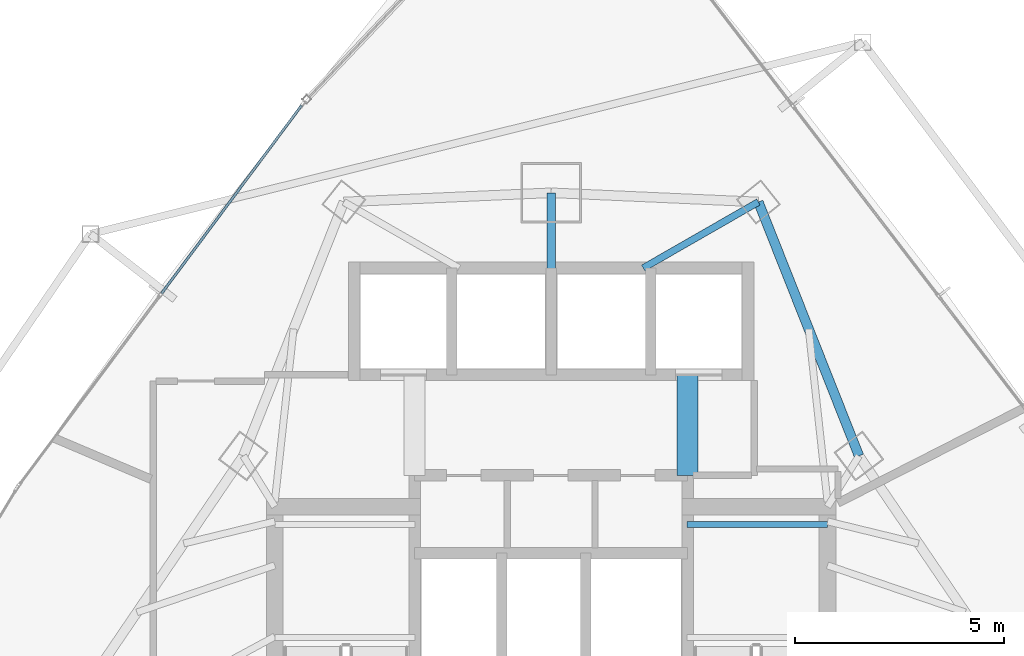
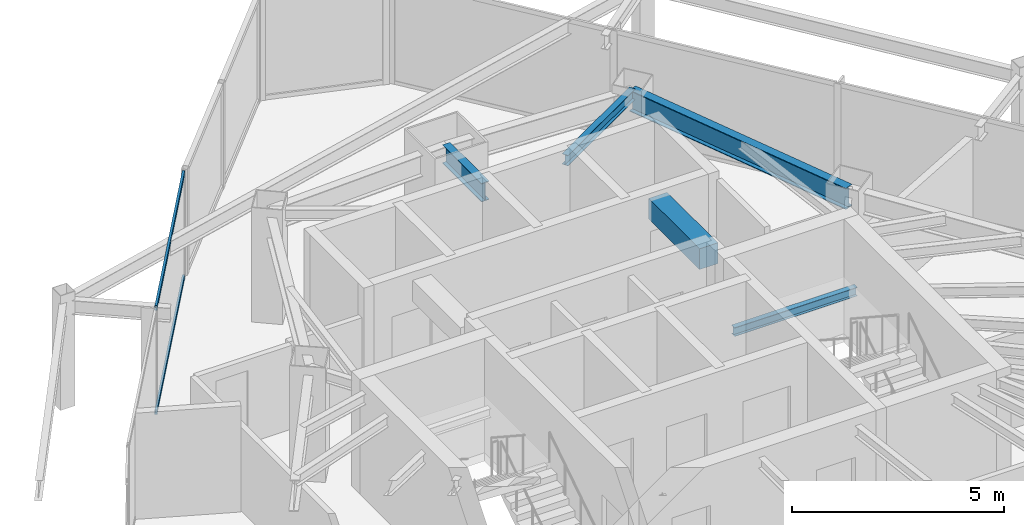
# One storey, part 20 of 31: 5 beams, 2 members, 1 element without a shape of its own.
"""IFC4 building model written with IfcOpenShell, lengths in metres."""

import ifcopenshell
import ifcopenshell.guid

model = None  # the IFC model being written
_history = None  # IfcOwnerHistory: only IFC2X3 demands one
_inside = {}  # id of a spatial element -> (the spatial element, [elements in it])
_under = {}  # id of a project, library or spatial element -> (it, [spatial elements below it])
_declared = {}  # id of a project -> (the project, [libraries it declares])
_typed = {}  # id of a type object -> (the type object, [elements of that type])
_made_of = {}  # id of a material, layer set ... -> (it, [elements and type objects made of it])


def new_model(schema):
    """Start an empty IFC model of exactly this schema.

    Asked for "IFC4X3", IfcOpenShell would pick the latest addendum, in which some entities
    have other attributes; the version numbers below select the first issue.
    IFC2X3 requires an IfcOwnerHistory on every rooted entity: one is made here for all.
    """
    global model, _history
    if schema == "IFC4X3":
        model = ifcopenshell.file(schema_version=(4, 3, 0, 0))
    else:
        model = ifcopenshell.file(schema=schema)
    _inside.clear()
    _under.clear()
    _declared.clear()
    _typed.clear()
    _made_of.clear()
    _history = None
    if model.schema == "IFC2X3":
        org = make("IfcOrganization", Name="unknown")
        user = make(
            "IfcPersonAndOrganization",
            ThePerson=make("IfcPerson", FamilyName="unknown"),
            TheOrganization=org,
        )
        app = make(
            "IfcApplication",
            ApplicationDeveloper=org,
            Version="unknown",
            ApplicationFullName="unknown",
            ApplicationIdentifier="unknown",
        )
        _history = make(
            "IfcOwnerHistory",
            OwningUser=user,
            OwningApplication=app,
            ChangeAction="ADDED",
            CreationDate=0,
        )
    return model


def make(cls, **values):
    """One entity of the class cls with the attributes given. An attribute that is None is left unset."""
    return model.create_entity(
        cls, **{name: value for name, value in values.items() if value is not None}
    )


def rooted(cls, **values):
    """An entity with a GlobalId (a new one), such as an element, a storey or a relation."""
    return make(cls, GlobalId=ifcopenshell.guid.new(), OwnerHistory=_history, **values)


def si_unit(unit_type, name, prefix=None):
    """IfcSIUnit, for example si_unit("LENGTHUNIT", "METRE", prefix="MILLI")."""
    return make("IfcSIUnit", UnitType=unit_type, Prefix=prefix, Name=name)


def assignment(units):
    """IfcUnitAssignment: the units of a project."""
    return None if units is None else make("IfcUnitAssignment", Units=units)


def point(xyz):
    """IfcCartesianPoint."""
    return None if xyz is None else make("IfcCartesianPoint", Coordinates=xyz)


def direction(xyz):
    """IfcDirection."""
    return None if xyz is None else make("IfcDirection", DirectionRatios=xyz)


def frame(location, z_axis=None, x_axis=None):
    """IfcAxis2Placement3D, a coordinate frame: its origin and axes. An axis left out is left unset."""
    return make(
        "IfcAxis2Placement3D",
        Location=point(location),
        Axis=direction(z_axis),
        RefDirection=direction(x_axis),
    )


def frame_2d(location, x_axis=None):
    """IfcAxis2Placement2D, a coordinate frame in the plane: its origin and x axis."""
    return make(
        "IfcAxis2Placement2D", Location=point(location), RefDirection=direction(x_axis)
    )


def origin():
    """The frame at (0, 0, 0) with its axes left unset."""
    return frame((0.0, 0.0, 0.0))


def origin_2d():
    """The frame at (0, 0) in the plane with its x axis left unset."""
    return frame_2d((0.0, 0.0))


def place(relative_to, where):
    """IfcLocalPlacement: puts the frame where relative to a parent placement (None: the world)."""
    return make(
        "IfcLocalPlacement", PlacementRelTo=relative_to, RelativePlacement=where
    )


def context(
    kind, dimensions, precision=None, world=None, true_north=None, identifier=None
):
    """IfcGeometricRepresentationContext, for example the 3D "Model" context."""
    return make(
        "IfcGeometricRepresentationContext",
        ContextIdentifier=identifier,
        ContextType=kind,
        CoordinateSpaceDimension=dimensions,
        Precision=precision,
        WorldCoordinateSystem=world,
        TrueNorth=true_north,
    )


def subcontext(parent, identifier, kind, view, scale=None):
    """IfcGeometricRepresentationSubContext, for example "Body" below "Model"."""
    return make(
        "IfcGeometricRepresentationSubContext",
        ContextIdentifier=identifier,
        ContextType=kind,
        ParentContext=parent,
        TargetScale=scale,
        TargetView=view,
    )


def project(units=None, contexts=None):
    """IfcProject with its units and contexts."""
    return rooted(
        "IfcProject",
        Name="project",
        RepresentationContexts=contexts,
        UnitsInContext=assignment(units),
    )


def spatial(cls, under=None, at=None, **own):
    """A site, building, storey or space (cls), placed at a placement, below another one or the project."""
    s = rooted(cls, ObjectPlacement=at, **own)
    if under is not None:
        _under.setdefault(under.id(), (under, []))[1].append(s)
    return s


def profile(cls, at=None, kind="AREA", **sizes):
    """A parametric profile (cls). Its sizes go by their IFC names, for example OverallWidth=200.0."""
    return make(cls, ProfileType=kind, Position=at, **sizes)


def rectangle(**sizes):
    """IfcRectangleProfileDef."""
    return profile("IfcRectangleProfileDef", **sizes)


def hollow_rectangle(**sizes):
    """IfcRectangleHollowProfileDef."""
    return profile("IfcRectangleHollowProfileDef", **sizes)


def i_section(**sizes):
    """IfcIShapeProfileDef."""
    return profile("IfcIShapeProfileDef", **sizes)


def extrude(swept, where, along, depth):
    """IfcExtrudedAreaSolid: the profile swept, set in the frame where, extruded along a direction by depth."""
    return make(
        "IfcExtrudedAreaSolid",
        SweptArea=swept,
        Position=where,
        ExtrudedDirection=direction(along),
        Depth=depth,
    )


def shape(context_of_items, identifier, shape_type, items):
    """IfcShapeRepresentation: the items that make up one representation, for example the "Body"."""
    return make(
        "IfcShapeRepresentation",
        ContextOfItems=context_of_items,
        RepresentationIdentifier=identifier,
        RepresentationType=shape_type,
        Items=items,
    )


def material(Name=None, Category=None):
    """IfcMaterial."""
    return make("IfcMaterial", Name=Name, Category=Category)


def layer(
    of_material, thickness, ventilated=None, Name=None, Category=None, Priority=None
):
    """IfcMaterialLayer: one layer of a wall or slab, of a material (None: an air gap)."""
    return make(
        "IfcMaterialLayer",
        Material=of_material,
        LayerThickness=thickness,
        IsVentilated=ventilated,
        Name=Name,
        Category=Category,
        Priority=Priority,
    )


def layer_set(layers, Name=None):
    """IfcMaterialLayerSet."""
    return make("IfcMaterialLayerSet", MaterialLayers=layers, LayerSetName=Name)


def material_profile(
    of_material, cross_section, Name=None, Category=None, Priority=None
):
    """IfcMaterialProfile: a cross section and its material."""
    return make(
        "IfcMaterialProfile",
        Name=Name,
        Material=of_material,
        Profile=cross_section,
        Priority=Priority,
        Category=Category,
    )


def profile_set(profiles, Name=None, composite=None):
    """IfcMaterialProfileSet."""
    return make(
        "IfcMaterialProfileSet",
        Name=Name,
        MaterialProfiles=profiles,
        CompositeProfile=composite,
    )


def made_of(thing, what):
    """Note that an element or type object is made of a material, layer set ...; save() writes the relation."""
    if what is not None:
        _made_of.setdefault(what.id(), (what, []))[1].append(thing)
    return thing


def type_object(cls, material=None, **own):
    """A type object (cls), such as IfcWallType, which elements share."""
    return made_of(rooted(cls, **own), material)


def element(
    cls,
    number,
    at=None,
    inside=None,
    cuts=None,
    type_object=None,
    material=None,
    context=None,
    identifier="Body",
    shape_type=None,
    held_by="IfcProductDefinitionShape",
    body=None,
    shapes=None,
    **own,
):
    """One element of the class cls, such as IfcWall. Its Tag is "e" and its number.

    at: its placement. inside: the storey or other place that contains it. cuts: it is an
    opening in that element (IfcRelVoidsElement). A single representation is given by context,
    identifier, shape_type and body (its items); several are given by shapes. held_by: the class
    of the entity that holds the representations. save() writes the other relations.
    """
    e = rooted(cls, Tag="e%d" % number, ObjectPlacement=at, **own)
    if body is not None:
        shapes = [shape(context, identifier, shape_type, body)]
    if shapes is not None:
        e.Representation = make(held_by, Representations=shapes)
    if inside is not None:
        _inside.setdefault(inside.id(), (inside, []))[1].append(e)
    if cuts is not None:
        rooted(
            "IfcRelVoidsElement", RelatingBuildingElement=cuts, RelatedOpeningElement=e
        )
    if type_object is not None:
        _typed.setdefault(type_object.id(), (type_object, []))[1].append(e)
    return made_of(e, material)


def aggregate(whole, parts):
    """IfcRelAggregates: a whole, such as a stair, and the parts it consists of."""
    return rooted("IfcRelAggregates", RelatingObject=whole, RelatedObjects=parts)


def save(model, path):
    """Write the relations noted so far, then the file.

    IfcRelAggregates (storeys below a building ...), IfcRelContainedInSpatialStructure (elements
    in a storey), IfcRelDefinesByType, IfcRelAssociatesMaterial and IfcRelDeclares: one each for
    every whole, place, type object, material and project.
    """
    for whole, parts in _under.values():
        aggregate(whole, parts)
    for where, things in _inside.values():
        rooted(
            "IfcRelContainedInSpatialStructure",
            RelatedElements=things,
            RelatingStructure=where,
        )
    for kind, things in _typed.values():
        rooted("IfcRelDefinesByType", RelatedObjects=things, RelatingType=kind)
    for what, things in _made_of.values():
        rooted("IfcRelAssociatesMaterial", RelatedObjects=things, RelatingMaterial=what)
    for by, libraries in _declared.values():
        rooted("IfcRelDeclares", RelatingContext=by, RelatedDefinitions=libraries)
    model.write(path)


model = new_model("IFC4")

# Units and contexts
model_context = context("Model", 3, precision=1e-05, world=origin(), true_north=direction((0.0, 1.0)))
body_context = subcontext(model_context, "Body", "Model", "MODEL_VIEW")
ifc_project = project(units=[si_unit("LENGTHUNIT", "METRE"), si_unit("AREAUNIT", "SQUARE_METRE"), si_unit("VOLUMEUNIT", "CUBIC_METRE"), si_unit("PLANEANGLEUNIT", "RADIAN"), si_unit("MASSUNIT", "GRAM", prefix="KILO")], contexts=[model_context])

# Site, building, storey
site_placement = place(None, origin())
site = spatial("IfcSite", under=ifc_project, at=site_placement, CompositionType="ELEMENT")
building_placement = place(site_placement, origin())
building = spatial("IfcBuilding", under=site, at=building_placement, Name="Orvanel Arch Residences", CompositionType="ELEMENT")
storey_placement = place(building_placement, frame((0.0, 0.0, 126.5)))
storey = spatial("IfcBuildingStorey", under=building, at=storey_placement, Name="L35", CompositionType="ELEMENT", Elevation=126.5)

# Beams
ifc_material_1 = material(Name="Structural steel AS/NZS 3679.1 Grade 300 (300 MPa)", Category="steel")
ifc_material_profile_1 = material_profile(ifc_material_1, i_section(OverallWidth=0.208984375, OverallDepth=0.532958984375, WebThickness=0.01025390625, FlangeThickness=0.015625, at=origin_2d()), Name="530UB92.4")
ifc_profile_set_1 = profile_set([ifc_material_profile_1], Name="Structural steel AS/NZS 3679.1 Grade 300 (300 MPa)")
beam_type_1 = type_object("IfcBeamType", Name="BG-530UB", PredefinedType="BEAM", material=ifc_profile_set_1)
beam_1_placement = place(storey_placement, frame((33.0, 39.550048828125, 2.79296875), z_axis=(0.0, 1.0, 0.0), x_axis=(-1.0, 0.0, 0.0)))
element("IfcBeam", 1, at=beam_1_placement, inside=storey, type_object=beam_type_1, Name="L35 North Radial Girder", PredefinedType="BEAM", context=body_context, shape_type="SweptSolid", body=[
    extrude(i_section(OverallWidth=0.208984375, OverallDepth=0.532958984375, WebThickness=0.01025390625, FlangeThickness=0.015625, at=origin_2d()), origin(), (0.0, 0.0, 1.0), 1.847900390625),
])
ifc_material_profile_2 = material_profile(ifc_material_1, i_section(OverallWidth=0.14599609375, OverallDepth=0.251953125, WebThickness=0.006103515625, FlangeThickness=0.008544921875, at=origin_2d()), Name="250UB31.4")
ifc_profile_set_2 = profile_set([ifc_material_profile_2], Name="Structural steel AS/NZS 3679.1 Grade 300 (300 MPa)")
beam_type_2 = type_object("IfcBeamType", Name="BJ-250UB", PredefinedType="JOIST", material=ifc_profile_set_2)
beam_2_placement = place(storey_placement, frame((36.25, 33.47998046875, 1.323974609375), z_axis=(1.0, 0.0, 0.0), x_axis=(0.0, 1.0, 0.0)))
element("IfcBeam", 2, at=beam_2_placement, inside=storey, type_object=beam_type_2, Name="L35 ST-2 Half-Landing Support Beam 1.2", PredefinedType="JOIST", context=body_context, shape_type="SweptSolid", body=[
    extrude(i_section(OverallWidth=0.14599609375, OverallDepth=0.251953125, WebThickness=0.006103515625, FlangeThickness=0.008544921875, at=origin_2d()), origin(), (0.0, 0.0, 1.0), 3.35009765625),
])
ifc_material_profile_3 = material_profile(ifc_material_1, i_section(OverallWidth=0.1650390625, OverallDepth=0.303955078125, WebThickness=0.006103515625, FlangeThickness=0.01025390625, at=origin_2d()), Name="310UB40.4")
ifc_profile_set_3 = profile_set([ifc_material_profile_3], Name="Structural steel AS/NZS 3679.1 Grade 300 (300 MPa)")
beam_type_3 = type_object("IfcBeamType", Name="BJ-310UB", PredefinedType="JOIST", material=ifc_profile_set_3)
beam_3_placement = place(storey_placement, frame((35.199951171875, 39.60009765625, 2.907958984375), z_axis=(0.86736513383, 0.497672306458, 0.0), x_axis=(-0.497672306458, 0.86736513383, 0.0)))
element("IfcBeam", 3, at=beam_3_placement, inside=storey, type_object=beam_type_3, Name="L35 MNE Wing Floor Joist", PredefinedType="JOIST", context=body_context, shape_type="SweptSolid", body=[
    extrude(i_section(OverallWidth=0.1650390625, OverallDepth=0.303955078125, WebThickness=0.006103515625, FlangeThickness=0.01025390625, at=origin_2d()), origin(), (0.0, 0.0, 1.0), 3.17041015625),
])
ifc_material_2 = material(Name="Concrete S65 (65 MPa)", Category="concrete")
ifc_material_profile_4 = material_profile(ifc_material_2, rectangle(XDim=0.5, YDim=0.60009765625, at=origin_2d()), Name="RC500x600")
ifc_profile_set_4 = profile_set([ifc_material_profile_4], Name="Concrete S65 (65 MPa)")
beam_type_4 = type_object("IfcBeamType", Name="CB-500x600", PredefinedType="LINTEL", material=ifc_profile_set_4)
beam_4_placement = place(storey_placement, frame((36.260009765625, 34.64990234375, 2.760009765625), z_axis=(0.0, 1.0, 0.0), x_axis=(-1.0, 0.0, 0.0)))
element("IfcBeam", 4, at=beam_4_placement, inside=storey, type_object=beam_type_4, Name="L35 East Core Lobby Coupling Lintel Beam", PredefinedType="LINTEL", context=body_context, shape_type="SweptSolid", body=[
    extrude(rectangle(XDim=0.5, YDim=0.60009765625, at=origin_2d()), origin(), (0.0, 0.0, 1.0), 2.400146484375),
])
ifc_material_profile_5 = material_profile(ifc_material_1, i_section(OverallWidth=0.22900390625, OverallDepth=0.612060546875, WebThickness=0.011962890625, FlangeThickness=0.01953125, at=origin_2d()), Name="610UB125")
ifc_profile_set_5 = profile_set([ifc_material_profile_5], Name="Structural steel AS/NZS 3679.1 Grade 300 (300 MPa)")
beam_type_5 = type_object("IfcBeamType", Name="SP-610UB", PredefinedType="SPANDREL", material=ifc_profile_set_5)
beam_5_placement = place(storey_placement, frame((40.35205078125, 35.113037109375, 2.75390625), z_axis=(-0.368233143579, 0.929733484376, 0.0), x_axis=(-0.929733484376, -0.368233143579, 0.0)))
element("IfcBeam", 5, at=beam_5_placement, inside=storey, type_object=beam_type_5, Name="L35 Perimeter Spandrel Beam 13", PredefinedType="SPANDREL", context=body_context, shape_type="SweptSolid", body=[
    extrude(i_section(OverallWidth=0.22900390625, OverallDepth=0.612060546875, WebThickness=0.011962890625, FlangeThickness=0.01953125, at=origin_2d()), origin(), (0.0, 0.0, 1.0), 6.523193359375),
])

# Curtain wall, members
ifc_material_3 = material(Name="Bronze-anodised aluminium AA6063-T6", Category="aluminium")
ifc_layer = layer(ifc_material_3, 0.179931640625)
ifc_layer_set = layer_set([ifc_layer], Name="Bronze-anodised aluminium AA6063-T6")
curtain_wall_type = type_object("IfcCurtainWallType", Name="CW3-MID-SYS", PredefinedType="NOTDEFINED", material=ifc_layer_set)
curtain_wall_placement = place(storey_placement, origin())
curtain_wall = element("IfcCurtainWall", 6, at=curtain_wall_placement, inside=storey, type_object=curtain_wall_type, Name="L35 CW3-MID-SYS Unitised Curtain Wall", PredefinedType="NOTDEFINED")
ifc_material_profile_6 = material_profile(ifc_material_3, hollow_rectangle(XDim=0.06005859375, YDim=0.135009765625, WallThickness=0.00390625, at=origin_2d()), Name="ALU135x60x4")
ifc_profile_set_6 = profile_set([ifc_material_profile_6], Name="Bronze-anodised aluminium AA6063-T6")
member_type = type_object("IfcMemberType", Name="TRN-135x60", PredefinedType="USERDEFINED", material=ifc_profile_set_6)
member_1_placement = place(storey_placement, frame((27.043212890625, 43.48681640625, 0.030029296875), z_axis=(-0.597417035661, -0.80193072363, 0.0), x_axis=(0.80193072363, -0.597417035661, 0.0)))
member_1 = element("IfcMember", 7, at=member_1_placement, type_object=member_type, Name="CW-S3 transom 1.1", ObjectType="TRANSOM", PredefinedType="USERDEFINED", context=body_context, shape_type="SweptSolid", body=[
    extrude(hollow_rectangle(XDim=0.06005859375, YDim=0.135009765625, WallThickness=0.00390625, at=origin_2d()), origin(), (0.0, 0.0, 1.0), 5.602294921875),
])
member_2_placement = place(storey_placement, frame((27.043212890625, 43.48681640625, 3.030029296875), z_axis=(-0.597417035661, -0.80193072363, 0.0), x_axis=(0.80193072363, -0.597417035661, 0.0)))
member_2 = element("IfcMember", 8, at=member_2_placement, type_object=member_type, Name="CW-S3 transom 1.2", ObjectType="TRANSOM", PredefinedType="USERDEFINED", context=body_context, shape_type="SweptSolid", body=[
    extrude(hollow_rectangle(XDim=0.06005859375, YDim=0.135009765625, WallThickness=0.00390625, at=origin_2d()), origin(), (0.0, 0.0, 1.0), 5.602294921875),
])
aggregate(curtain_wall, [member_1, member_2])

save(model, "model.ifc")
